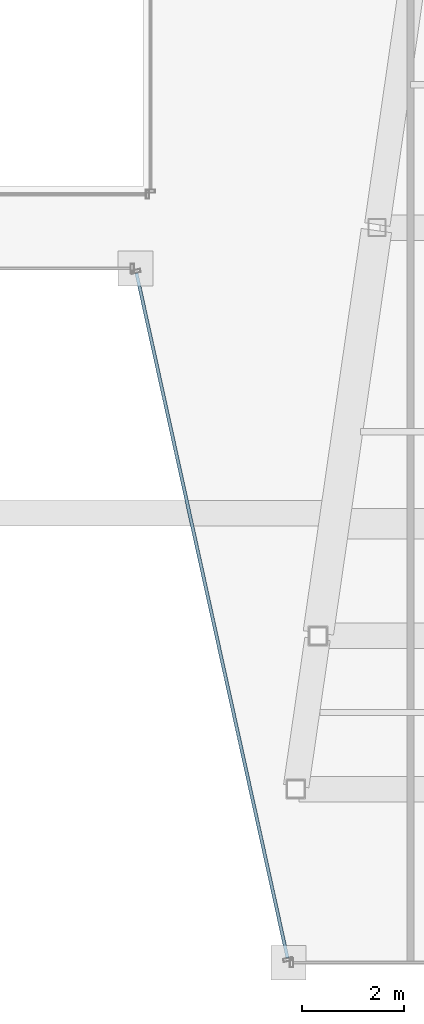
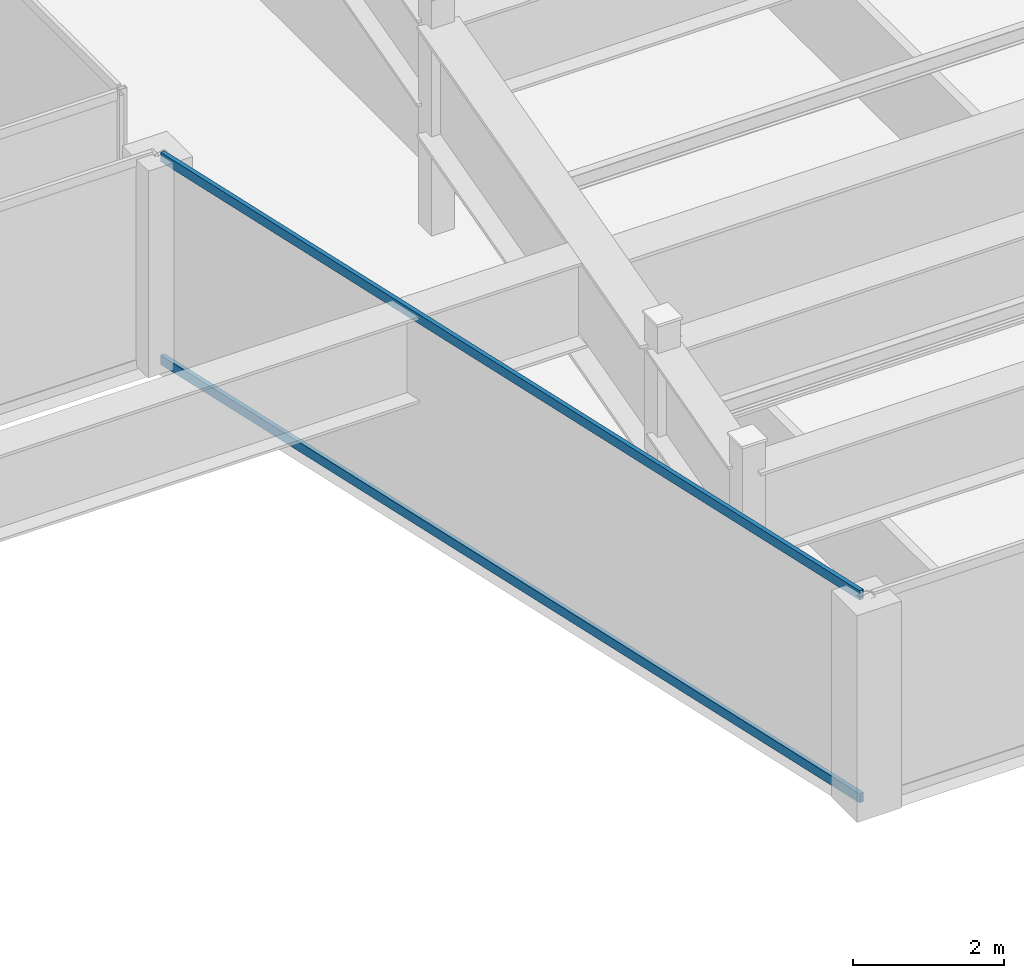
# One storey, part 15 of 35: 2 members, 1 element without a shape of its own.
"""IFC4 building model written with IfcOpenShell, lengths in metres."""

from ifc_helpers import new_model, si_unit, direction, frame, origin, origin_2d, place, context, subcontext, project, spatial, hollow_rectangle, extrude, material, material_profile, profile_set, type_object, element, aggregate, save


model = new_model("IFC4")

# Units and contexts
model_context = context("Model", 3, precision=1e-05, world=origin(), true_north=direction((0.0, 1.0)))
body_context = subcontext(model_context, "Body", "Model", "MODEL_VIEW")
ifc_project = project(units=[si_unit("LENGTHUNIT", "METRE"), si_unit("AREAUNIT", "SQUARE_METRE"), si_unit("VOLUMEUNIT", "CUBIC_METRE"), si_unit("PLANEANGLEUNIT", "RADIAN"), si_unit("MASSUNIT", "GRAM", prefix="KILO")], contexts=[model_context])

# Site, building, storey
site_placement = place(None, origin())
site = spatial("IfcSite", under=ifc_project, at=site_placement, CompositionType="ELEMENT")
building_placement = place(site_placement, origin())
building = spatial("IfcBuilding", under=site, at=building_placement, Name="Saevonmaru Cultural Tower", CompositionType="ELEMENT")
storey_placement = place(building_placement, frame((0.0, 0.0, 249.60009765625)))
storey = spatial("IfcBuildingStorey", under=building, at=storey_placement, Name="L58", CompositionType="ELEMENT", Elevation=249.60009765625)

# Curtain wall, members
ifc_material = material(Name="Satin Bronze Anodised Aluminium", Category="aluminium")
curtain_wall_type = type_object("IfcCurtainWallType", Name="CW-TYP-B", PredefinedType="NOTDEFINED", material=ifc_material)
curtain_wall_placement = place(storey_placement, origin())
curtain_wall = element("IfcCurtainWall", 1, at=curtain_wall_placement, inside=storey, type_object=curtain_wall_type, Name="L58 Unitised Curtain Wall E5", PredefinedType="NOTDEFINED")
ifc_material_profile = material_profile(ifc_material, hollow_rectangle(XDim=0.06494140625, YDim=0.14990234375, WallThickness=0.00390625, at=origin_2d()), Name="ALU-TRAN-150x65x4")
ifc_profile_set = profile_set([ifc_material_profile], Name="Satin Bronze Anodised Aluminium")
member_type = type_object("IfcMemberType", Name="TR-CW-150x65", PredefinedType="USERDEFINED", material=ifc_profile_set)
member_1_placement = place(storey_placement, frame((35.673095703125, 31.109619140625, 0.032470703125), z_axis=(0.215415884539, -0.976522399481, 0.0), x_axis=(0.976522399481, 0.215415884539, 0.0)))
member_1 = element("IfcMember", 2, at=member_1_placement, type_object=member_type, Name="CW-TW-L58-E5 transom 1.1", ObjectType="TRANSOM", PredefinedType="USERDEFINED", context=body_context, shape_type="SweptSolid", body=[
    extrude(hollow_rectangle(XDim=0.06494140625, YDim=0.14990234375, WallThickness=0.00390625, at=origin_2d()), origin(), (0.0, 0.0, 1.0), 13.74169921875),
])
member_2_placement = place(storey_placement, frame((35.673095703125, 31.109619140625, 3.3173828125), z_axis=(0.215415884539, -0.976522399481, 0.0), x_axis=(0.976522399481, 0.215415884539, 0.0)))
member_2 = element("IfcMember", 3, at=member_2_placement, type_object=member_type, Name="CW-TW-L58-E5 transom 1.2", ObjectType="TRANSOM", PredefinedType="USERDEFINED", context=body_context, shape_type="SweptSolid", body=[
    extrude(hollow_rectangle(XDim=0.06494140625, YDim=0.14990234375, WallThickness=0.00390625, at=origin_2d()), origin(), (0.0, 0.0, 1.0), 13.74169921875),
])
aggregate(curtain_wall, [member_1, member_2])

save(model, "model.ifc")
